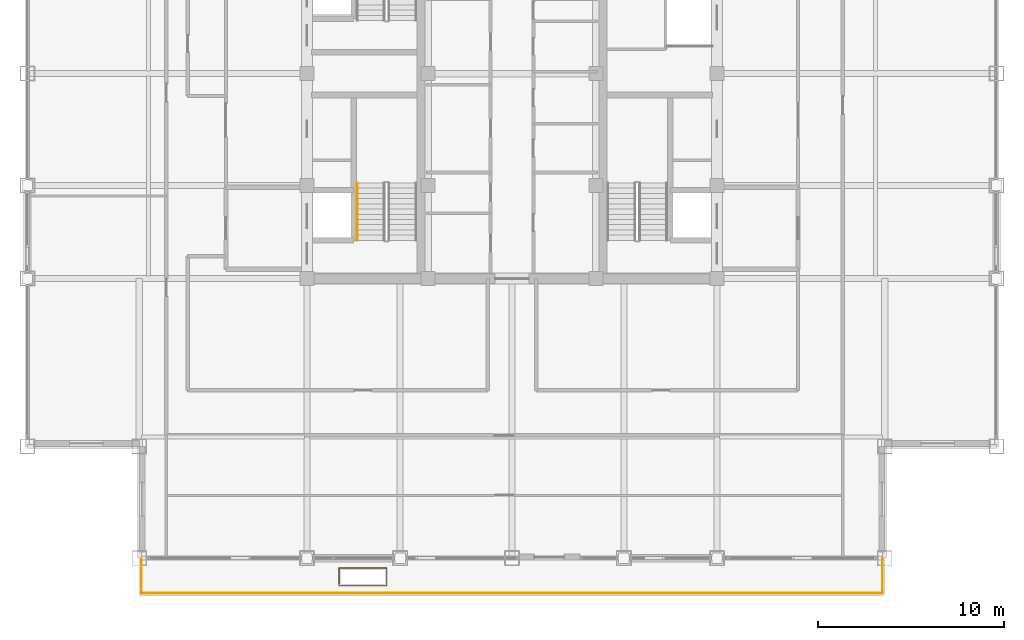
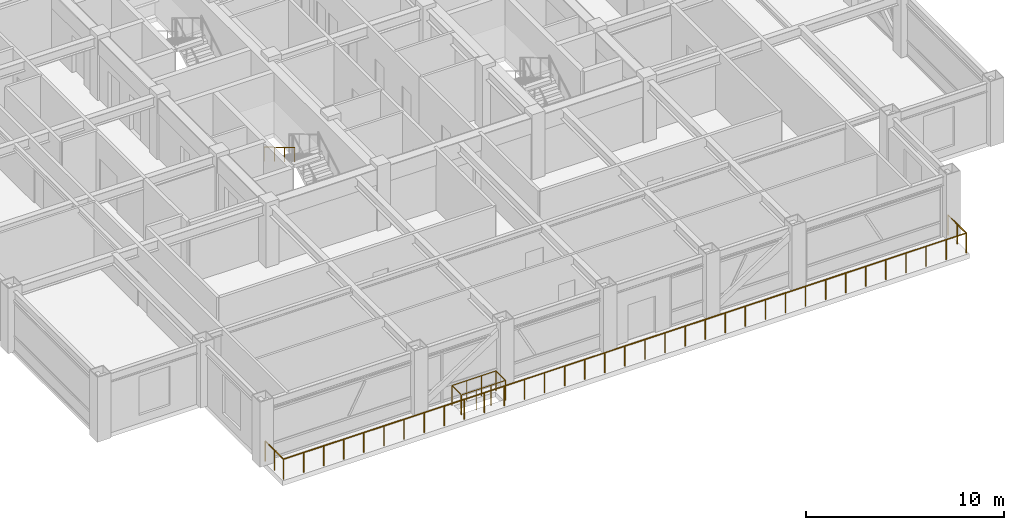
# One storey, part 28 of 30: 3 railings.
"""IFC4 building model written with IfcOpenShell, lengths in metres."""

from ifc_helpers import new_model, si_unit, direction, frame, origin, origin_2d, place, context, subcontext, project, spatial, circle, extrude, source, transform, mapped, material, type_object, element, save


model = new_model("IFC4")

# Units and contexts
model_context = context("Model", 3, precision=1e-05, world=origin(), true_north=direction((0.0, 1.0)))
body_context = subcontext(model_context, "Body", "Model", "MODEL_VIEW")
ifc_project = project(units=[si_unit("LENGTHUNIT", "METRE"), si_unit("AREAUNIT", "SQUARE_METRE"), si_unit("VOLUMEUNIT", "CUBIC_METRE"), si_unit("PLANEANGLEUNIT", "RADIAN"), si_unit("MASSUNIT", "GRAM", prefix="KILO")], contexts=[model_context])

# Site, building, storey
site_placement = place(None, origin())
site = spatial("IfcSite", under=ifc_project, at=site_placement, CompositionType="ELEMENT")
building_placement = place(site_placement, origin())
building = spatial("IfcBuilding", under=site, at=building_placement, Name="Khorayat Bourse Tower", CompositionType="ELEMENT")
storey_placement = place(building_placement, frame((0.0, 0.0, 326.300048828125)))
storey = spatial("IfcBuildingStorey", under=building, at=storey_placement, Name="L77", CompositionType="ELEMENT", Elevation=326.300048828125)

# Railings
ifc_material_1 = material(Name="Laminated glass and bronze balustrade", Category="glass")
railing_type_1 = type_object("IfcRailingType", Name="RLG-TERR-1250", PredefinedType="GUARDRAIL", material=ifc_material_1)
shared_shape_1 = source(origin(), body_context, "Body", "SweptSolid", [
    extrude(circle(Radius=0.02392578125, at=origin_2d()), frame((0.0, 0.0, 1.22607421875), z_axis=(1.0, 0.0, 0.0), x_axis=(0.0, 1.0, 0.0)), (0.0, 0.0, 1.0), 2.56005859375),
    extrude(circle(Radius=0.02392578125, at=origin_2d()), frame((2.56005859375, 0.0, 1.22607421875), z_axis=(0.0, 1.0, 0.0), x_axis=(-1.0, 0.0, 0.0)), (0.0, 0.0, 1.0), 0.9599609375),
    extrude(circle(Radius=0.02392578125, at=origin_2d()), frame((2.56005859375, 0.9599609375, 1.22607421875), z_axis=(-1.0, 0.0, 0.0), x_axis=(0.0, -1.0, 0.0)), (0.0, 0.0, 1.0), 2.56005859375),
    extrude(circle(Radius=0.02392578125, at=origin_2d()), frame((0.0, 0.9599609375, 1.22607421875), z_axis=(0.0, -1.0, 0.0), x_axis=(1.0, 0.0, 0.0)), (0.0, 0.0, 1.0), 0.8798828125),
    extrude(circle(Radius=0.02099609375, at=origin_2d()), origin(), (0.0, 0.0, 1.0), 1.201904296875),
    extrude(circle(Radius=0.02099609375, at=origin_2d()), frame((0.853271484375, 0.0, 0.0)), (0.0, 0.0, 1.0), 1.201904296875),
    extrude(circle(Radius=0.02099609375, at=origin_2d()), frame((1.706787109375, 0.0, 0.0)), (0.0, 0.0, 1.0), 1.201904296875),
    extrude(circle(Radius=0.02099609375, at=origin_2d()), frame((2.56005859375, 0.0, 0.0)), (0.0, 0.0, 1.0), 1.201904296875),
    extrude(circle(Radius=0.02099609375, at=origin_2d()), frame((2.56005859375, 0.9599609375, 0.0)), (0.0, 0.0, 1.0), 1.201904296875),
    extrude(circle(Radius=0.02099609375, at=origin_2d()), frame((1.706787109375, 0.9599609375, 0.0)), (0.0, 0.0, 1.0), 1.201904296875),
    extrude(circle(Radius=0.02099609375, at=origin_2d()), frame((0.853271484375, 0.9599609375, 0.0)), (0.0, 0.0, 1.0), 1.201904296875),
    extrude(circle(Radius=0.02099609375, at=origin_2d()), frame((0.0, 0.9599609375, 0.0)), (0.0, 0.0, 1.0), 1.201904296875),
    extrude(circle(Radius=0.02099609375, at=origin_2d()), frame((0.0, 0.080078125, 0.0)), (0.0, 0.0, 1.0), 1.201904296875),
])
railing_1_placement = place(storey_placement, frame((-9.280029296875, -27.47998046875, 0.0)))
element("IfcRailing", 1, at=railing_1_placement, inside=storey, type_object=railing_type_1, Name="L77 Terrace Tree-Pit Guardrail 02", PredefinedType="GUARDRAIL", context=body_context, shape_type="MappedRepresentation", body=[
    mapped(shared_shape_1, transform((0.0, 0.0, 0.0), scale=1.0)),
])
shared_shape_2 = source(origin(), body_context, "Body", "SweptSolid", [
    extrude(circle(Radius=0.02392578125, at=origin_2d()), frame((0.0, 0.0, 1.22607421875), z_axis=(0.0, -1.0, 0.0), x_axis=(1.0, 0.0, 0.0)), (0.0, 0.0, 1.0), 1.829833984375),
    extrude(circle(Radius=0.02392578125, at=origin_2d()), frame((0.0, -1.829833984375, 1.22607421875), z_axis=(1.0, 0.0, 0.0), x_axis=(0.0, 1.0, 0.0)), (0.0, 0.0, 1.0), 39.759765625),
    extrude(circle(Radius=0.02392578125, at=origin_2d()), frame((39.759765625, -1.829833984375, 1.22607421875), z_axis=(0.0, 1.0, 0.0), x_axis=(-1.0, 0.0, 0.0)), (0.0, 0.0, 1.0), 1.829833984375),
    extrude(circle(Radius=0.02099609375, at=origin_2d()), origin(), (0.0, 0.0, 1.0), 1.201904296875),
    extrude(circle(Radius=0.02099609375, at=origin_2d()), frame((0.0, -0.9150390625, 0.0)), (0.0, 0.0, 1.0), 1.201904296875),
    extrude(circle(Radius=0.02099609375, at=origin_2d()), frame((0.0, -1.829833984375, 0.0)), (0.0, 0.0, 1.0), 1.201904296875),
    extrude(circle(Radius=0.02099609375, at=origin_2d()), frame((1.16943359375, -1.829833984375, 0.0)), (0.0, 0.0, 1.0), 1.201904296875),
    extrude(circle(Radius=0.02099609375, at=origin_2d()), frame((2.3388671875, -1.829833984375, 0.0)), (0.0, 0.0, 1.0), 1.201904296875),
    extrude(circle(Radius=0.02099609375, at=origin_2d()), frame((3.50830078125, -1.829833984375, 0.0)), (0.0, 0.0, 1.0), 1.201904296875),
    extrude(circle(Radius=0.02099609375, at=origin_2d()), frame((4.677734375, -1.829833984375, 0.0)), (0.0, 0.0, 1.0), 1.201904296875),
    extrude(circle(Radius=0.02099609375, at=origin_2d()), frame((5.846923828125, -1.829833984375, 0.0)), (0.0, 0.0, 1.0), 1.201904296875),
    extrude(circle(Radius=0.02099609375, at=origin_2d()), frame((7.016357421875, -1.829833984375, 0.0)), (0.0, 0.0, 1.0), 1.201904296875),
    extrude(circle(Radius=0.02099609375, at=origin_2d()), frame((8.185791015625, -1.829833984375, 0.0)), (0.0, 0.0, 1.0), 1.201904296875),
    extrude(circle(Radius=0.02099609375, at=origin_2d()), frame((9.355224609375, -1.829833984375, 0.0)), (0.0, 0.0, 1.0), 1.201904296875),
    extrude(circle(Radius=0.02099609375, at=origin_2d()), frame((10.524658203125, -1.829833984375, 0.0)), (0.0, 0.0, 1.0), 1.201904296875),
    extrude(circle(Radius=0.02099609375, at=origin_2d()), frame((11.694091796875, -1.829833984375, 0.0)), (0.0, 0.0, 1.0), 1.201904296875),
    extrude(circle(Radius=0.02099609375, at=origin_2d()), frame((12.863525390625, -1.829833984375, 0.0)), (0.0, 0.0, 1.0), 1.201904296875),
    extrude(circle(Radius=0.02099609375, at=origin_2d()), frame((14.032958984375, -1.829833984375, 0.0)), (0.0, 0.0, 1.0), 1.201904296875),
    extrude(circle(Radius=0.02099609375, at=origin_2d()), frame((15.2021484375, -1.829833984375, 0.0)), (0.0, 0.0, 1.0), 1.201904296875),
    extrude(circle(Radius=0.02099609375, at=origin_2d()), frame((16.37158203125, -1.829833984375, 0.0)), (0.0, 0.0, 1.0), 1.201904296875),
    extrude(circle(Radius=0.02099609375, at=origin_2d()), frame((17.541015625, -1.829833984375, 0.0)), (0.0, 0.0, 1.0), 1.201904296875),
    extrude(circle(Radius=0.02099609375, at=origin_2d()), frame((18.71044921875, -1.829833984375, 0.0)), (0.0, 0.0, 1.0), 1.201904296875),
    extrude(circle(Radius=0.02099609375, at=origin_2d()), frame((19.8798828125, -1.829833984375, 0.0)), (0.0, 0.0, 1.0), 1.201904296875),
    extrude(circle(Radius=0.02099609375, at=origin_2d()), frame((21.04931640625, -1.829833984375, 0.0)), (0.0, 0.0, 1.0), 1.201904296875),
    extrude(circle(Radius=0.02099609375, at=origin_2d()), frame((22.21875, -1.829833984375, 0.0)), (0.0, 0.0, 1.0), 1.201904296875),
    extrude(circle(Radius=0.02099609375, at=origin_2d()), frame((23.38818359375, -1.829833984375, 0.0)), (0.0, 0.0, 1.0), 1.201904296875),
    extrude(circle(Radius=0.02099609375, at=origin_2d()), frame((24.5576171875, -1.829833984375, 0.0)), (0.0, 0.0, 1.0), 1.201904296875),
    extrude(circle(Radius=0.02099609375, at=origin_2d()), frame((25.726806640625, -1.829833984375, 0.0)), (0.0, 0.0, 1.0), 1.201904296875),
    extrude(circle(Radius=0.02099609375, at=origin_2d()), frame((26.896240234375, -1.829833984375, 0.0)), (0.0, 0.0, 1.0), 1.201904296875),
    extrude(circle(Radius=0.02099609375, at=origin_2d()), frame((28.065673828125, -1.829833984375, 0.0)), (0.0, 0.0, 1.0), 1.201904296875),
    extrude(circle(Radius=0.02099609375, at=origin_2d()), frame((29.235107421875, -1.829833984375, 0.0)), (0.0, 0.0, 1.0), 1.201904296875),
    extrude(circle(Radius=0.02099609375, at=origin_2d()), frame((30.404541015625, -1.829833984375, 0.0)), (0.0, 0.0, 1.0), 1.201904296875),
    extrude(circle(Radius=0.02099609375, at=origin_2d()), frame((31.573974609375, -1.829833984375, 0.0)), (0.0, 0.0, 1.0), 1.201904296875),
    extrude(circle(Radius=0.02099609375, at=origin_2d()), frame((32.743408203125, -1.829833984375, 0.0)), (0.0, 0.0, 1.0), 1.201904296875),
    extrude(circle(Radius=0.02099609375, at=origin_2d()), frame((33.912841796875, -1.829833984375, 0.0)), (0.0, 0.0, 1.0), 1.201904296875),
    extrude(circle(Radius=0.02099609375, at=origin_2d()), frame((35.08203125, -1.829833984375, 0.0)), (0.0, 0.0, 1.0), 1.201904296875),
    extrude(circle(Radius=0.02099609375, at=origin_2d()), frame((36.25146484375, -1.829833984375, 0.0)), (0.0, 0.0, 1.0), 1.201904296875),
    extrude(circle(Radius=0.02099609375, at=origin_2d()), frame((37.4208984375, -1.829833984375, 0.0)), (0.0, 0.0, 1.0), 1.201904296875),
    extrude(circle(Radius=0.02099609375, at=origin_2d()), frame((38.59033203125, -1.829833984375, 0.0)), (0.0, 0.0, 1.0), 1.201904296875),
    extrude(circle(Radius=0.02099609375, at=origin_2d()), frame((39.759765625, -1.829833984375, 0.0)), (0.0, 0.0, 1.0), 1.201904296875),
    extrude(circle(Radius=0.02099609375, at=origin_2d()), frame((39.759765625, -0.9150390625, 0.0)), (0.0, 0.0, 1.0), 1.201904296875),
    extrude(circle(Radius=0.02099609375, at=origin_2d()), frame((39.759765625, 0.0, 0.0)), (0.0, 0.0, 1.0), 1.201904296875),
])
railing_2_placement = place(storey_placement, frame((-19.8798828125, -26.050048828125, 0.0)))
element("IfcRailing", 2, at=railing_2_placement, inside=storey, type_object=railing_type_1, Name="L77 South Setback Terrace Guardrail", PredefinedType="GUARDRAIL", context=body_context, shape_type="MappedRepresentation", body=[
    mapped(shared_shape_2, transform((0.0, 0.0, 0.0), scale=1.0)),
])
ifc_material_2 = material(Name="Brushed bronze stainless-steel handrail", Category="steel")
railing_type_2 = type_object("IfcRailingType", Name="RLG-HAND-900", PredefinedType="HANDRAIL", material=ifc_material_2)
shared_shape_3 = source(origin(), body_context, "Body", "SweptSolid", [
    extrude(circle(Radius=0.02392578125, at=origin_2d()), frame((0.0, 0.0, 0.8759765625), z_axis=(0.0, -0.859260807169, 0.511537745687), x_axis=(1.0, 0.0, 0.0)), (0.0, 0.0, 1.0), 3.584228515625),
    extrude(circle(Radius=0.02099609375, at=origin_2d()), origin(), (0.0, 0.0, 1.0), 0.851806640625),
    extrude(circle(Radius=0.02099609375, at=origin_2d()), frame((0.0, -1.026611328125, 0.611083984375)), (0.0, 0.0, 1.0), 0.851806640625),
    extrude(circle(Radius=0.02099609375, at=origin_2d()), frame((0.0, -2.05322265625, 1.222412109375)), (0.0, 0.0, 1.0), 0.851806640625),
    extrude(circle(Radius=0.02099609375, at=origin_2d()), frame((0.0, -3.079833984375, 1.83349609375)), (0.0, 0.0, 1.0), 0.851806640625),
])
railing_3_placement = place(storey_placement, frame((-8.300048828125, -5.8701171875, 2.16650390625)))
element("IfcRailing", 3, at=railing_3_placement, inside=storey, type_object=railing_type_2, Name="L77 ST-1 stair handrail 2", PredefinedType="HANDRAIL", context=body_context, shape_type="MappedRepresentation", body=[
    mapped(shared_shape_3, transform((0.0, 0.0, 0.0), scale=1.0)),
])

save(model, "model.ifc")
